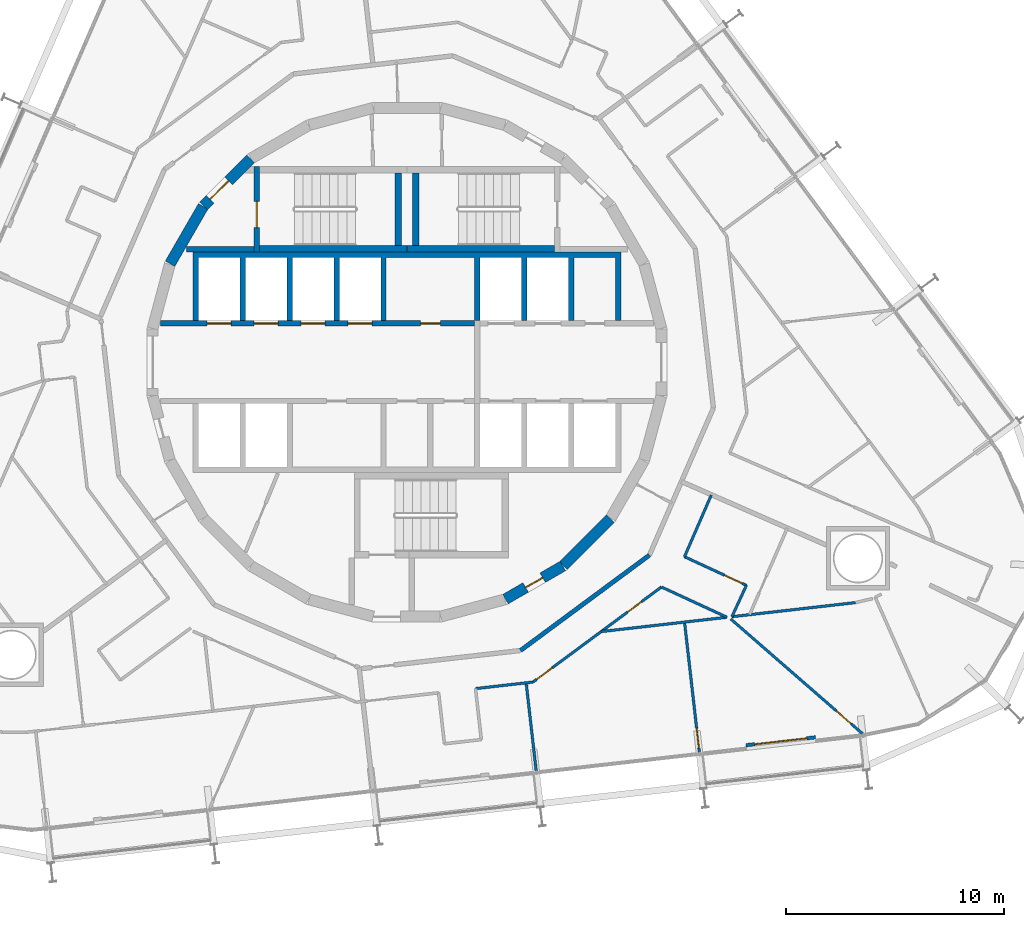
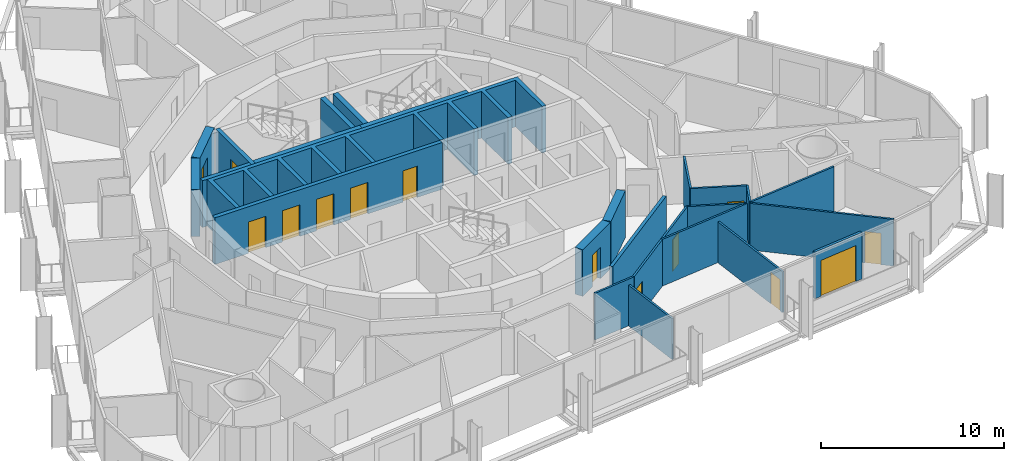
# One storey, part 16 of 22: 25 walls, 14 doors, 14 openings.
"""IFC4 building model written with IfcOpenShell, lengths in metres."""

import ifcopenshell
import ifcopenshell.guid

model = None  # the IFC model being written
_history = None  # IfcOwnerHistory: only IFC2X3 demands one
_inside = {}  # id of a spatial element -> (the spatial element, [elements in it])
_under = {}  # id of a project, library or spatial element -> (it, [spatial elements below it])
_declared = {}  # id of a project -> (the project, [libraries it declares])
_typed = {}  # id of a type object -> (the type object, [elements of that type])
_made_of = {}  # id of a material, layer set ... -> (it, [elements and type objects made of it])


def new_model(schema):
    """Start an empty IFC model of exactly this schema.

    Asked for "IFC4X3", IfcOpenShell would pick the latest addendum, in which some entities
    have other attributes; the version numbers below select the first issue.
    IFC2X3 requires an IfcOwnerHistory on every rooted entity: one is made here for all.
    """
    global model, _history
    if schema == "IFC4X3":
        model = ifcopenshell.file(schema_version=(4, 3, 0, 0))
    else:
        model = ifcopenshell.file(schema=schema)
    _inside.clear()
    _under.clear()
    _declared.clear()
    _typed.clear()
    _made_of.clear()
    _history = None
    if model.schema == "IFC2X3":
        org = make("IfcOrganization", Name="unknown")
        user = make(
            "IfcPersonAndOrganization",
            ThePerson=make("IfcPerson", FamilyName="unknown"),
            TheOrganization=org,
        )
        app = make(
            "IfcApplication",
            ApplicationDeveloper=org,
            Version="unknown",
            ApplicationFullName="unknown",
            ApplicationIdentifier="unknown",
        )
        _history = make(
            "IfcOwnerHistory",
            OwningUser=user,
            OwningApplication=app,
            ChangeAction="ADDED",
            CreationDate=0,
        )
    return model


def make(cls, **values):
    """One entity of the class cls with the attributes given. An attribute that is None is left unset."""
    return model.create_entity(
        cls, **{name: value for name, value in values.items() if value is not None}
    )


def rooted(cls, **values):
    """An entity with a GlobalId (a new one), such as an element, a storey or a relation."""
    return make(cls, GlobalId=ifcopenshell.guid.new(), OwnerHistory=_history, **values)


def si_unit(unit_type, name, prefix=None):
    """IfcSIUnit, for example si_unit("LENGTHUNIT", "METRE", prefix="MILLI")."""
    return make("IfcSIUnit", UnitType=unit_type, Prefix=prefix, Name=name)


def assignment(units):
    """IfcUnitAssignment: the units of a project."""
    return None if units is None else make("IfcUnitAssignment", Units=units)


def point(xyz):
    """IfcCartesianPoint."""
    return None if xyz is None else make("IfcCartesianPoint", Coordinates=xyz)


def direction(xyz):
    """IfcDirection."""
    return None if xyz is None else make("IfcDirection", DirectionRatios=xyz)


def frame(location, z_axis=None, x_axis=None):
    """IfcAxis2Placement3D, a coordinate frame: its origin and axes. An axis left out is left unset."""
    return make(
        "IfcAxis2Placement3D",
        Location=point(location),
        Axis=direction(z_axis),
        RefDirection=direction(x_axis),
    )


def frame_2d(location, x_axis=None):
    """IfcAxis2Placement2D, a coordinate frame in the plane: its origin and x axis."""
    return make(
        "IfcAxis2Placement2D", Location=point(location), RefDirection=direction(x_axis)
    )


def origin():
    """The frame at (0, 0, 0) with its axes left unset."""
    return frame((0.0, 0.0, 0.0))


def place(relative_to, where):
    """IfcLocalPlacement: puts the frame where relative to a parent placement (None: the world)."""
    return make(
        "IfcLocalPlacement", PlacementRelTo=relative_to, RelativePlacement=where
    )


def context(
    kind, dimensions, precision=None, world=None, true_north=None, identifier=None
):
    """IfcGeometricRepresentationContext, for example the 3D "Model" context."""
    return make(
        "IfcGeometricRepresentationContext",
        ContextIdentifier=identifier,
        ContextType=kind,
        CoordinateSpaceDimension=dimensions,
        Precision=precision,
        WorldCoordinateSystem=world,
        TrueNorth=true_north,
    )


def subcontext(parent, identifier, kind, view, scale=None):
    """IfcGeometricRepresentationSubContext, for example "Body" below "Model"."""
    return make(
        "IfcGeometricRepresentationSubContext",
        ContextIdentifier=identifier,
        ContextType=kind,
        ParentContext=parent,
        TargetScale=scale,
        TargetView=view,
    )


def project(units=None, contexts=None):
    """IfcProject with its units and contexts."""
    return rooted(
        "IfcProject",
        Name="project",
        RepresentationContexts=contexts,
        UnitsInContext=assignment(units),
    )


def spatial(cls, under=None, at=None, **own):
    """A site, building, storey or space (cls), placed at a placement, below another one or the project."""
    s = rooted(cls, ObjectPlacement=at, **own)
    if under is not None:
        _under.setdefault(under.id(), (under, []))[1].append(s)
    return s


def polyline(points):
    """IfcPolyline through the points."""
    return make("IfcPolyline", Points=[point(p) for p in points])


def profile(cls, at=None, kind="AREA", **sizes):
    """A parametric profile (cls). Its sizes go by their IFC names, for example OverallWidth=200.0."""
    return make(cls, ProfileType=kind, Position=at, **sizes)


def rectangle(**sizes):
    """IfcRectangleProfileDef."""
    return profile("IfcRectangleProfileDef", **sizes)


def outline(outer, holes=None, kind="AREA"):
    """IfcArbitraryClosedProfileDef: a profile drawn as a closed curve; with holes, ...WithVoids."""
    if holes is None:
        return make("IfcArbitraryClosedProfileDef", ProfileType=kind, OuterCurve=outer)
    return make(
        "IfcArbitraryProfileDefWithVoids",
        ProfileType=kind,
        OuterCurve=outer,
        InnerCurves=holes,
    )


def extrude(swept, where, along, depth):
    """IfcExtrudedAreaSolid: the profile swept, set in the frame where, extruded along a direction by depth."""
    return make(
        "IfcExtrudedAreaSolid",
        SweptArea=swept,
        Position=where,
        ExtrudedDirection=direction(along),
        Depth=depth,
    )


def shape(context_of_items, identifier, shape_type, items):
    """IfcShapeRepresentation: the items that make up one representation, for example the "Body"."""
    return make(
        "IfcShapeRepresentation",
        ContextOfItems=context_of_items,
        RepresentationIdentifier=identifier,
        RepresentationType=shape_type,
        Items=items,
    )


def material(Name=None, Category=None):
    """IfcMaterial."""
    return make("IfcMaterial", Name=Name, Category=Category)


def layer(
    of_material, thickness, ventilated=None, Name=None, Category=None, Priority=None
):
    """IfcMaterialLayer: one layer of a wall or slab, of a material (None: an air gap)."""
    return make(
        "IfcMaterialLayer",
        Material=of_material,
        LayerThickness=thickness,
        IsVentilated=ventilated,
        Name=Name,
        Category=Category,
        Priority=Priority,
    )


def layer_set(layers, Name=None):
    """IfcMaterialLayerSet."""
    return make("IfcMaterialLayerSet", MaterialLayers=layers, LayerSetName=Name)


def made_of(thing, what):
    """Note that an element or type object is made of a material, layer set ...; save() writes the relation."""
    if what is not None:
        _made_of.setdefault(what.id(), (what, []))[1].append(thing)
    return thing


def type_object(cls, material=None, **own):
    """A type object (cls), such as IfcWallType, which elements share."""
    return made_of(rooted(cls, **own), material)


def element(
    cls,
    number,
    at=None,
    inside=None,
    cuts=None,
    type_object=None,
    material=None,
    context=None,
    identifier="Body",
    shape_type=None,
    held_by="IfcProductDefinitionShape",
    body=None,
    shapes=None,
    **own,
):
    """One element of the class cls, such as IfcWall. Its Tag is "e" and its number.

    at: its placement. inside: the storey or other place that contains it. cuts: it is an
    opening in that element (IfcRelVoidsElement). A single representation is given by context,
    identifier, shape_type and body (its items); several are given by shapes. held_by: the class
    of the entity that holds the representations. save() writes the other relations.
    """
    e = rooted(cls, Tag="e%d" % number, ObjectPlacement=at, **own)
    if body is not None:
        shapes = [shape(context, identifier, shape_type, body)]
    if shapes is not None:
        e.Representation = make(held_by, Representations=shapes)
    if inside is not None:
        _inside.setdefault(inside.id(), (inside, []))[1].append(e)
    if cuts is not None:
        rooted(
            "IfcRelVoidsElement", RelatingBuildingElement=cuts, RelatedOpeningElement=e
        )
    if type_object is not None:
        _typed.setdefault(type_object.id(), (type_object, []))[1].append(e)
    return made_of(e, material)


def fill(opening, filler):
    """IfcRelFillsElement: the door or window that sits in an opening."""
    return rooted(
        "IfcRelFillsElement",
        RelatingOpeningElement=opening,
        RelatedBuildingElement=filler,
    )


def aggregate(whole, parts):
    """IfcRelAggregates: a whole, such as a stair, and the parts it consists of."""
    return rooted("IfcRelAggregates", RelatingObject=whole, RelatedObjects=parts)


def save(model, path):
    """Write the relations noted so far, then the file.

    IfcRelAggregates (storeys below a building ...), IfcRelContainedInSpatialStructure (elements
    in a storey), IfcRelDefinesByType, IfcRelAssociatesMaterial and IfcRelDeclares: one each for
    every whole, place, type object, material and project.
    """
    for whole, parts in _under.values():
        aggregate(whole, parts)
    for where, things in _inside.values():
        rooted(
            "IfcRelContainedInSpatialStructure",
            RelatedElements=things,
            RelatingStructure=where,
        )
    for kind, things in _typed.values():
        rooted("IfcRelDefinesByType", RelatedObjects=things, RelatingType=kind)
    for what, things in _made_of.values():
        rooted("IfcRelAssociatesMaterial", RelatedObjects=things, RelatingMaterial=what)
    for by, libraries in _declared.values():
        rooted("IfcRelDeclares", RelatingContext=by, RelatedDefinitions=libraries)
    model.write(path)


model = new_model("IFC4")

# Units and contexts
model_context = context("Model", 3, precision=1e-05, world=origin(), true_north=direction((0.0, 1.0)))
body_context = subcontext(model_context, "Body", "Model", "MODEL_VIEW")
ifc_project = project(units=[si_unit("LENGTHUNIT", "METRE"), si_unit("AREAUNIT", "SQUARE_METRE"), si_unit("VOLUMEUNIT", "CUBIC_METRE"), si_unit("PLANEANGLEUNIT", "RADIAN"), si_unit("MASSUNIT", "GRAM", prefix="KILO")], contexts=[model_context])

# Site, building, storey
site_placement = place(None, origin())
site = spatial("IfcSite", under=ifc_project, at=site_placement, CompositionType="ELEMENT")
building_placement = place(site_placement, origin())
building = spatial("IfcBuilding", under=site, at=building_placement, Name="Spindle Arch Residences", CompositionType="ELEMENT")
storey_placement = place(building_placement, frame((0.0, 0.0, 80.199951171875)))
storey = spatial("IfcBuildingStorey", under=building, at=storey_placement, Name="L18", CompositionType="ELEMENT", Elevation=80.199951171875)

# Wall, opening, door
ifc_material_1 = material(Name="Concrete C50/60", Category="concrete")
ifc_layer_1 = layer(ifc_material_1, 0.5)
ifc_layer_set_1 = layer_set([ifc_layer_1], Name="Core outline wall 500")
wall_type_1 = type_object("IfcWallType", Name="Core outline wall 500", PredefinedType="SHEAR", material=ifc_layer_set_1)
wall_1_placement = place(storey_placement, frame((4.510498046875, -10.84521484375, 0.0), z_axis=(0.0, 0.0, 1.0), x_axis=(0.865975092491, 0.500087131594, 0.0)))
wall_1 = element("IfcWall", 1, at=wall_1_placement, inside=storey, type_object=wall_type_1, Name="Core outline wall 2", PredefinedType="SHEAR", context=body_context, shape_type="SweptSolid", body=[
    extrude(rectangle(XDim=3.03271484375, YDim=0.5, at=frame_2d((1.516357421875, 0.0))), origin(), (0.0, 0.0, 1.0), 3.1201171875),
])
opening_1_placement = place(wall_1_placement, frame((1.06640625, 0.0, 0.0)))
opening_1 = element("IfcOpeningElement", 2, at=opening_1_placement, cuts=wall_1, Name="Opening R2A1-WD09", PredefinedType="OPENING", context=body_context, shape_type="SweptSolid", body=[
    extrude(rectangle(XDim=0.89990234375, YDim=2.10009765625, at=frame_2d((0.449951171875, 1.050048828125))), frame((0.0, 0.260009765625, 0.0), z_axis=(0.0, -1.0, 0.0), x_axis=(1.0, 0.0, 0.0)), (0.0, 0.0, 1.0), 0.52001953125),
])
ifc_material_2 = material(Name="Steel, fire-resisting door", Category="steel")
door_type_1 = type_object("IfcDoorType", Name="Service room door 900x2100", OperationType="SINGLE_SWING_LEFT", PredefinedType="DOOR", material=ifc_material_2)
door_1_placement = place(opening_1_placement, origin())
door_1 = element("IfcDoor", 3, at=door_1_placement, inside=storey, type_object=door_type_1, Name="Service room door R2A1-WD09", OperationType="SINGLE_SWING_RIGHT", OverallHeight=2.10009765625, OverallWidth=0.89990234375, PredefinedType="DOOR", context=body_context, shape_type="SweptSolid", body=[
    extrude(rectangle(XDim=0.89990234375, YDim=2.10009765625, at=frame_2d((0.449951171875, 1.050048828125))), frame((0.0, 0.02490234375, 0.0), z_axis=(0.0, -1.0, 0.0), x_axis=(1.0, 0.0, 0.0)), (0.0, 0.0, 1.0), 0.050048828125),
])
fill(opening_1, door_1)

# Wall
wall_2_placement = place(storey_placement, frame((7.163818359375, -9.30810546875, 0.0), z_axis=(0.0, 0.0, 1.0), x_axis=(0.707106781187, 0.707106781187, 0.0)))
element("IfcWall", 4, at=wall_2_placement, inside=storey, type_object=wall_type_1, Name="Core outline wall 3", PredefinedType="SHEAR", context=body_context, shape_type="SweptSolid", body=[
    extrude(rectangle(XDim=3.032470703125, YDim=0.5, at=frame_2d((1.51611328125, 0.0))), origin(), (0.0, 0.0, 1.0), 3.1201171875),
])

# Wall, opening, door
wall_3_placement = place(storey_placement, frame((-7.163818359375, 9.30810546875, 0.0), z_axis=(0.0, 0.0, 1.0), x_axis=(-0.707106781187, -0.707106781187, 0.0)))
wall_3 = element("IfcWall", 5, at=wall_3_placement, inside=storey, type_object=wall_type_1, Name="Core outline wall 15", PredefinedType="SHEAR", context=body_context, shape_type="SweptSolid", body=[
    extrude(rectangle(XDim=3.032470703125, YDim=0.5, at=frame_2d((1.51611328125, 0.0))), origin(), (0.0, 0.0, 1.0), 3.1201171875),
])
opening_2_placement = place(wall_3_placement, frame((1.416259765625, 0.0, 0.0)))
opening_2 = element("IfcOpeningElement", 6, at=opening_2_placement, cuts=wall_3, Name="Opening R2A1-AD02", PredefinedType="OPENING", context=body_context, shape_type="SweptSolid", body=[
    extrude(rectangle(XDim=1.199951171875, YDim=2.10009765625, at=frame_2d((0.60009765625, 1.050048828125))), frame((0.0, 0.260009765625, 0.0), z_axis=(0.0, -1.0, 0.0), x_axis=(1.0, 0.0, 0.0)), (0.0, 0.0, 1.0), 0.52001953125),
])
ifc_material_3 = material(Name="Steel, fire-resisting door", Category="steel")
door_type_2 = type_object("IfcDoorType", Name="Stair airlock door 1200x2100", OperationType="SINGLE_SWING_LEFT", PredefinedType="DOOR", material=ifc_material_3)
door_2_placement = place(opening_2_placement, origin())
door_2 = element("IfcDoor", 7, at=door_2_placement, inside=storey, type_object=door_type_2, Name="Stair airlock door R2A1-AD02", OperationType="SINGLE_SWING_RIGHT", OverallHeight=2.10009765625, OverallWidth=1.199951171875, PredefinedType="DOOR", context=body_context, shape_type="SweptSolid", body=[
    extrude(rectangle(XDim=1.199951171875, YDim=2.10009765625, at=frame_2d((0.60009765625, 1.050048828125))), frame((0.0, 0.02490234375, 0.0), z_axis=(0.0, -1.0, 0.0), x_axis=(1.0, 0.0, 0.0)), (0.0, 0.0, 1.0), 0.050048828125),
])
fill(opening_2, door_2)

# Walls
wall_4_placement = place(storey_placement, frame((-9.32861328125, 7.13671875, 0.0), z_axis=(0.0, 0.0, 1.0), x_axis=(-0.500087131594, -0.865975092491, 0.0)))
element("IfcWall", 8, at=wall_4_placement, inside=storey, type_object=wall_type_1, Name="Core outline wall 16", PredefinedType="SHEAR", context=body_context, shape_type="SweptSolid", body=[
    extrude(rectangle(XDim=3.03271484375, YDim=0.5, at=frame_2d((1.516357421875, 0.0))), origin(), (0.0, 0.0, 1.0), 3.1201171875),
])
ifc_material_4 = material(Name="Calcium silicate block, plastered")
ifc_layer_2 = layer(ifc_material_4, 0.199951171875)
ifc_layer_set_2 = layer_set([ifc_layer_2], Name="Corridor wall 200")
wall_type_2 = type_object("IfcWallType", Name="Corridor wall 200", PredefinedType="STANDARD", material=ifc_layer_set_2)
wall_5_placement = place(storey_placement, frame((5.1982421875, -13.1962890625, 0.0), z_axis=(0.0, 0.0, 1.0), x_axis=(0.803869883159, 0.594805187394, 0.0)))
element("IfcWall", 9, at=wall_5_placement, inside=storey, type_object=wall_type_2, Name="Corridor wall R2A1-W015", PredefinedType="STANDARD", context=body_context, shape_type="SweptSolid", body=[
    extrude(rectangle(XDim=7.341796875, YDim=0.199951171875, at=frame_2d((3.6708984375, 0.0))), origin(), (0.0, 0.0, 1.0), 3.1201171875),
])
ifc_material_5 = material(Name="Plasterboard on steel studs", Category="steel")
ifc_layer_3 = layer(ifc_material_5, 0.1201171875)
ifc_layer_set_3 = layer_set([ifc_layer_3], Name="Flat partition 120")
wall_type_3 = type_object("IfcWallType", Name="Flat partition 120", PredefinedType="PARTITIONING", material=ifc_layer_set_3)
wall_6_placement = place(storey_placement, frame((3.1376953125, -14.94091796875, 0.0), z_axis=(0.0, 0.0, 1.0), x_axis=(0.99356355736, 0.113276023437, 0.0)))
element("IfcWall", 10, at=wall_6_placement, inside=storey, type_object=wall_type_3, Name="Flat partition R2A1-W117", PredefinedType="PARTITIONING", context=body_context, shape_type="SweptSolid", body=[
    extrude(rectangle(XDim=2.646728515625, YDim=0.1201171875, at=frame_2d((1.3232421875, 0.0))), origin(), (0.0, 0.0, 1.0), 3.1201171875),
])

# Wall, openings, doors
wall_7_placement = place(storey_placement, frame((5.767333984375, -14.64111328125, 0.0), z_axis=(0.0, 0.0, 1.0), x_axis=(0.803867427863, 0.594808505673, 0.0)))
wall_7 = element("IfcWall", 11, at=wall_7_placement, inside=storey, type_object=wall_type_3, Name="Flat partition R2A1-W118", PredefinedType="PARTITIONING", context=body_context, shape_type="SweptSolid", body=[
    extrude(rectangle(XDim=7.31640625, YDim=0.1201171875, at=frame_2d((3.658203125, 0.0))), origin(), (0.0, 0.0, 1.0), 3.1201171875),
])
opening_3_placement = place(wall_7_placement, frame((0.199951171875, 0.0, 0.0)))
opening_3 = element("IfcOpeningElement", 12, at=opening_3_placement, cuts=wall_7, Name="Opening R2A1-ID30", PredefinedType="OPENING", context=body_context, shape_type="SweptSolid", body=[
    extrude(rectangle(XDim=0.89990234375, YDim=2.10009765625, at=frame_2d((0.449951171875, 1.050048828125))), frame((0.0, 0.070068359375, 0.0), z_axis=(0.0, -1.0, 0.0), x_axis=(1.0, 0.0, 0.0)), (0.0, 0.0, 1.0), 0.14013671875),
])
opening_4_placement = place(wall_7_placement, frame((5.385009765625, 0.0, 0.0)))
opening_4 = element("IfcOpeningElement", 13, at=opening_4_placement, cuts=wall_7, Name="Opening R2A1-BD07", PredefinedType="OPENING", context=body_context, shape_type="SweptSolid", body=[
    extrude(rectangle(XDim=0.800048828125, YDim=2.10009765625, at=frame_2d((0.39990234375, 1.050048828125))), frame((0.0, 0.070068359375, 0.0), z_axis=(0.0, -1.0, 0.0), x_axis=(1.0, 0.0, 0.0)), (0.0, 0.0, 1.0), 0.14013671875),
])
ifc_material_6 = material(Name="Timber door set", Category="wood")
door_type_3 = type_object("IfcDoorType", Name="Bathroom door 800x2100", OperationType="NOTDEFINED", PredefinedType="DOOR", material=ifc_material_6)
door_3_placement = place(opening_4_placement, origin())
door_3 = element("IfcDoor", 14, at=door_3_placement, inside=storey, type_object=door_type_3, Name="Bathroom door R2A1-BD07", OperationType="SINGLE_SWING_RIGHT", OverallHeight=2.10009765625, OverallWidth=0.800048828125, PredefinedType="DOOR", context=body_context, shape_type="SweptSolid", body=[
    extrude(rectangle(XDim=0.800048828125, YDim=2.10009765625, at=frame_2d((0.39990234375, 1.050048828125))), frame((0.0, 0.02490234375, 0.0), z_axis=(0.0, -1.0, 0.0), x_axis=(1.0, 0.0, 0.0)), (0.0, 0.0, 1.0), 0.050048828125),
])
fill(opening_4, door_3)
ifc_material_7 = material(Name="Timber door set", Category="wood")
door_type_4 = type_object("IfcDoorType", Name="Room door 900x2100", OperationType="NOTDEFINED", PredefinedType="DOOR", material=ifc_material_7)
door_4_placement = place(opening_3_placement, origin())
door_4 = element("IfcDoor", 15, at=door_4_placement, inside=storey, type_object=door_type_4, Name="Room door R2A1-ID30", OperationType="SINGLE_SWING_RIGHT", OverallHeight=2.10009765625, OverallWidth=0.89990234375, PredefinedType="DOOR", context=body_context, shape_type="SweptSolid", body=[
    extrude(rectangle(XDim=0.89990234375, YDim=2.10009765625, at=frame_2d((0.449951171875, 1.050048828125))), frame((0.0, 0.02490234375, 0.0), z_axis=(0.0, -1.0, 0.0), x_axis=(1.0, 0.0, 0.0)), (0.0, 0.0, 1.0), 0.050048828125),
])
fill(opening_3, door_4)

# Walls
wall_8_placement = place(storey_placement, frame((11.648681640625, -10.289306640625, 0.0), z_axis=(0.0, 0.0, 1.0), x_axis=(0.9079269461, -0.419128453514, 0.0)))
element("IfcWall", 16, at=wall_8_placement, inside=storey, type_object=wall_type_3, Name="Flat partition R2A1-W119", PredefinedType="PARTITIONING", context=body_context, shape_type="SweptSolid", body=[
    extrude(rectangle(XDim=3.304443359375, YDim=0.1201171875, at=frame_2d((1.65234375, 0.0))), origin(), (0.0, 0.0, 1.0), 3.1201171875),
])
wall_9_placement = place(storey_placement, frame((14.87548828125, -11.6484375, 0.0), z_axis=(0.0, 0.0, 1.0), x_axis=(0.419087543301, 0.90794583046, 0.0)))
element("IfcWall", 17, at=wall_9_placement, inside=storey, type_object=wall_type_3, Name="Flat partition R2A1-W120", PredefinedType="PARTITIONING", context=body_context, shape_type="SweptSolid", body=[
    extrude(rectangle(XDim=1.58154296875, YDim=0.1201171875, at=frame_2d((0.790771484375, 0.0))), origin(), (0.0, 0.0, 1.0), 3.1201171875),
])

# Wall, opening, door
wall_10_placement = place(storey_placement, frame((15.538330078125, -10.21240234375, 0.0), z_axis=(0.0, 0.0, 1.0), x_axis=(-0.907941075756, 0.419097844131, 0.0)))
wall_10 = element("IfcWall", 18, at=wall_10_placement, inside=storey, type_object=wall_type_3, Name="Flat partition R2A1-W121", PredefinedType="PARTITIONING", context=body_context, shape_type="SweptSolid", body=[
    extrude(rectangle(XDim=3.122314453125, YDim=0.1201171875, at=frame_2d((1.56103515625, 0.0))), origin(), (0.0, 0.0, 1.0), 3.1201171875),
])
opening_5_placement = place(wall_10_placement, frame((0.199951171875, 0.0, 0.0)))
opening_5 = element("IfcOpeningElement", 19, at=opening_5_placement, cuts=wall_10, Name="Opening R2A1-ID31", PredefinedType="OPENING", context=body_context, shape_type="SweptSolid", body=[
    extrude(rectangle(XDim=0.89990234375, YDim=2.10009765625, at=frame_2d((0.449951171875, 1.050048828125))), frame((0.0, 0.070068359375, 0.0), z_axis=(0.0, -1.0, 0.0), x_axis=(1.0, 0.0, 0.0)), (0.0, 0.0, 1.0), 0.14013671875),
])
door_5_placement = place(opening_5_placement, origin())
door_5 = element("IfcDoor", 20, at=door_5_placement, inside=storey, type_object=door_type_4, Name="Room door R2A1-ID31", OperationType="SINGLE_SWING_LEFT", OverallHeight=2.10009765625, OverallWidth=0.89990234375, PredefinedType="DOOR", context=body_context, shape_type="SweptSolid", body=[
    extrude(rectangle(XDim=0.89990234375, YDim=2.10009765625, at=frame_2d((0.449951171875, 1.050048828125))), frame((0.0, 0.02490234375, 0.0), z_axis=(0.0, -1.0, 0.0), x_axis=(1.0, 0.0, 0.0)), (0.0, 0.0, 1.0), 0.050048828125),
])
fill(opening_5, door_5)

# Walls
wall_11_placement = place(storey_placement, frame((12.703369140625, -8.90380859375, 0.0), z_axis=(0.0, 0.0, 1.0), x_axis=(0.398679720725, 0.917090224723, 0.0)))
element("IfcWall", 21, at=wall_11_placement, inside=storey, type_object=wall_type_3, Name="Flat partition R2A1-W122", PredefinedType="PARTITIONING", context=body_context, shape_type="SweptSolid", body=[
    extrude(rectangle(XDim=3.0791015625, YDim=0.1201171875, at=frame_2d((1.53955078125, 0.0))), origin(), (0.0, 0.0, 1.0), 3.1201171875),
])
wall_12_placement = place(storey_placement, frame((14.64892578125, -11.67431640625, 0.0), z_axis=(0.0, 0.0, 1.0), x_axis=(-0.993573746873, -0.113186613721, 0.0)))
element("IfcWall", 22, at=wall_12_placement, inside=storey, type_object=wall_type_3, Name="Flat partition R2A1-W124", PredefinedType="PARTITIONING", context=body_context, shape_type="SweptSolid", body=[
    extrude(rectangle(XDim=5.7958984375, YDim=0.1201171875, at=frame_2d((2.89794921875, 0.0))), origin(), (0.0, 0.0, 1.0), 3.1201171875),
])

# Wall, opening, door
wall_13_placement = place(storey_placement, frame((20.856201171875, -17.005859375, 0.0), z_axis=(0.0, 0.0, 1.0), x_axis=(-0.75423134567, 0.656608770281, 0.0)))
wall_13 = element("IfcWall", 23, at=wall_13_placement, inside=storey, type_object=wall_type_3, Name="Flat partition R2A1-W126", PredefinedType="PARTITIONING", context=body_context, shape_type="SweptSolid", body=[
    extrude(rectangle(XDim=7.995361328125, YDim=0.1201171875, at=frame_2d((3.99755859375, 0.0))), origin(), (0.0, 0.0, 1.0), 3.1201171875),
])
opening_6_placement = place(wall_13_placement, frame((0.699951171875, 0.0, 0.0)))
opening_6 = element("IfcOpeningElement", 24, at=opening_6_placement, cuts=wall_13, Name="Opening R2A1-ID33", PredefinedType="OPENING", context=body_context, shape_type="SweptSolid", body=[
    extrude(rectangle(XDim=0.89990234375, YDim=2.10009765625, at=frame_2d((0.449951171875, 1.050048828125))), frame((0.0, 0.070068359375, 0.0), z_axis=(0.0, -1.0, 0.0), x_axis=(1.0, 0.0, 0.0)), (0.0, 0.0, 1.0), 0.14013671875),
])
door_6_placement = place(opening_6_placement, origin())
door_6 = element("IfcDoor", 25, at=door_6_placement, inside=storey, type_object=door_type_4, Name="Room door R2A1-ID33", OperationType="SINGLE_SWING_RIGHT", OverallHeight=2.10009765625, OverallWidth=0.89990234375, PredefinedType="DOOR", context=body_context, shape_type="SweptSolid", body=[
    extrude(rectangle(XDim=0.89990234375, YDim=2.10009765625, at=frame_2d((0.449951171875, 1.050048828125))), frame((0.0, 0.02490234375, 0.0), z_axis=(0.0, -1.0, 0.0), x_axis=(1.0, 0.0, 0.0)), (0.0, 0.0, 1.0), 0.050048828125),
])
fill(opening_6, door_6)

# Walls
wall_14_placement = place(storey_placement, frame((20.52685546875, -11.00439453125, 0.0), z_axis=(0.0, 0.0, 1.0), x_axis=(-0.993568869194, -0.113229422712, 0.0)))
element("IfcWall", 26, at=wall_14_placement, inside=storey, type_object=wall_type_3, Name="Flat partition R2A1-W127", PredefinedType="PARTITIONING", context=body_context, shape_type="SweptSolid", body=[
    extrude(rectangle(XDim=5.68798828125, YDim=0.1201171875, at=frame_2d((2.843994140625, 0.0))), origin(), (0.0, 0.0, 1.0), 3.1201171875),
])
ifc_material_8 = material(Name="Plasterboard on steel studs", Category="steel")
ifc_layer_4 = layer(ifc_material_8, 0.1201171875)
ifc_layer_set_4 = layer_set([ifc_layer_4], Name="Flat partition 120 under beam 2730")
wall_type_4 = type_object("IfcWallType", Name="Flat partition 120 under beam 2730", PredefinedType="PARTITIONING", material=ifc_layer_set_4)
wall_15_placement = place(storey_placement, frame((5.915283203125, -18.7080078125, 0.0), z_axis=(0.0, 0.0, 1.0), x_axis=(-0.113244511591, 0.993567149515, 0.0)))
element("IfcWall", 27, at=wall_15_placement, inside=storey, type_object=wall_type_4, Name="Flat partition R2A1-W123", PredefinedType="PARTITIONING", context=body_context, shape_type="SweptSolid", body=[
    extrude(rectangle(XDim=4.057373046875, YDim=0.1201171875, at=frame_2d((2.02880859375, 0.0))), origin(), (0.0, 0.0, 1.0), 2.72998046875),
])

# Wall, opening, door
wall_16_placement = place(storey_placement, frame((13.3857421875, -17.85693359375, 0.0), z_axis=(0.0, 0.0, 1.0), x_axis=(-0.113200012983, 0.993572220355, 0.0)))
wall_16 = element("IfcWall", 28, at=wall_16_placement, inside=storey, type_object=wall_type_4, Name="Flat partition R2A1-W125", PredefinedType="PARTITIONING", context=body_context, shape_type="SweptSolid", body=[
    extrude(rectangle(XDim=6.0, YDim=0.1201171875, at=frame_2d((3.0, 0.0))), origin(), (0.0, 0.0, 1.0), 2.72998046875),
])
opening_7_placement = place(wall_16_placement, frame((0.199951171875, 0.0, 0.0)))
opening_7 = element("IfcOpeningElement", 29, at=opening_7_placement, cuts=wall_16, Name="Opening R2A1-ID32", PredefinedType="OPENING", context=body_context, shape_type="SweptSolid", body=[
    extrude(rectangle(XDim=0.89990234375, YDim=2.10009765625, at=frame_2d((0.449951171875, 1.050048828125))), frame((0.0, 0.070068359375, 0.0), z_axis=(0.0, -1.0, 0.0), x_axis=(1.0, 0.0, 0.0)), (0.0, 0.0, 1.0), 0.14013671875),
])
door_7_placement = place(opening_7_placement, origin())
door_7 = element("IfcDoor", 30, at=door_7_placement, inside=storey, type_object=door_type_4, Name="Room door R2A1-ID32", OperationType="SINGLE_SWING_RIGHT", OverallHeight=2.10009765625, OverallWidth=0.89990234375, PredefinedType="DOOR", context=body_context, shape_type="SweptSolid", body=[
    extrude(rectangle(XDim=0.89990234375, YDim=2.10009765625, at=frame_2d((0.449951171875, 1.050048828125))), frame((0.0, 0.02490234375, 0.0), z_axis=(0.0, -1.0, 0.0), x_axis=(1.0, 0.0, 0.0)), (0.0, 0.0, 1.0), 0.050048828125),
])
fill(opening_7, door_7)

ifc_material_9 = material(Name="Non-combustible mineral wool insulated aluminium faced external wall (K0)", Category="aluminium")
ifc_layer_5 = layer(ifc_material_9, 0.159912109375)
ifc_layer_set_5 = layer_set([ifc_layer_5], Name="Insulated external wall panel 160")
wall_type_5 = type_object("IfcWallType", Name="Insulated external wall panel 160", PredefinedType="STANDARD", material=ifc_layer_set_5)
wall_17_placement = place(storey_placement, frame((15.522216796875, -17.532958984375, 0.0), z_axis=(0.0, 0.0, 1.0), x_axis=(0.993578576686, 0.113144208648, 0.0)))
wall_17 = element("IfcWall", 31, at=wall_17_placement, inside=storey, type_object=wall_type_5, Name="External wall L18 bay 2", PredefinedType="STANDARD", context=body_context, shape_type="SweptSolid", body=[
    extrude(rectangle(XDim=3.199951171875, YDim=0.159912109375, at=frame_2d((1.60009765625, 0.0))), origin(), (0.0, 0.0, 1.0), 3.1201171875),
])
opening_8_placement = place(wall_17_placement, frame((0.39990234375, 0.0, 0.0)))
opening_8 = element("IfcOpeningElement", 32, at=opening_8_placement, cuts=wall_17, Name="Opening BD02", PredefinedType="OPENING", context=body_context, shape_type="SweptSolid", body=[
    extrude(rectangle(XDim=2.39990234375, YDim=2.39990234375, at=frame_2d((1.199951171875, 1.199951171875))), frame((0.0, 0.08984375, 0.0), z_axis=(0.0, -1.0, 0.0), x_axis=(1.0, 0.0, 0.0)), (0.0, 0.0, 1.0), 0.179931640625),
])
ifc_material_10 = material(Name="Bronze aluminium frame, tinted double glazing", Category="aluminium")
door_type_5 = type_object("IfcDoorType", Name="Sliding glazed balcony door 2400x2400", OperationType="DOUBLE_DOOR_SLIDING", PredefinedType="DOOR", material=ifc_material_10)
door_8_placement = place(opening_8_placement, origin())
door_8 = element("IfcDoor", 33, at=door_8_placement, inside=storey, type_object=door_type_5, Name="Balcony door BD02", OperationType="DOUBLE_DOOR_SLIDING", OverallHeight=2.39990234375, OverallWidth=2.39990234375, PredefinedType="DOOR", context=body_context, shape_type="SweptSolid", body=[
    extrude(rectangle(XDim=2.39990234375, YDim=2.39990234375, at=frame_2d((1.199951171875, 1.199951171875))), frame((0.0, 0.02490234375, 0.0), z_axis=(0.0, -1.0, 0.0), x_axis=(1.0, 0.0, 0.0)), (0.0, 0.0, 1.0), 0.050048828125),
])
fill(opening_8, door_8)

# Wall, openings, doors
ifc_material_11 = material(Name="Concrete C50/60", Category="concrete")
ifc_layer_6 = layer(ifc_material_11, 0.25)
ifc_layer_set_6 = layer_set([ifc_layer_6], Name="Lift shaft wall 250")
wall_type_6 = type_object("IfcWallType", Name="Lift shaft wall 250", PredefinedType="SHEAR", material=ifc_layer_set_6)
wall_18_placement = place(storey_placement, frame((-11.280029296875, 1.77490234375, 0.0), z_axis=(0.0, 0.0, 1.0), x_axis=(1.0, 0.0, 0.0)))
wall_18 = element("IfcWall", 34, at=wall_18_placement, inside=storey, type_object=wall_type_6, Name="Lift shaft front wall NW", PredefinedType="SHEAR", context=body_context, shape_type="SweptSolid", body=[
    extrude(rectangle(XDim=14.380126953125, YDim=0.25, at=frame_2d((7.18994140625, 0.0))), origin(), (0.0, 0.0, 1.0), 3.1201171875),
])
opening_9_placement = place(wall_18_placement, frame((2.1298828125, 0.0, 0.0)))
opening_9 = element("IfcOpeningElement", 35, at=opening_9_placement, cuts=wall_18, Name="Opening R2A1-LD01", PredefinedType="OPENING", context=body_context, shape_type="SweptSolid", body=[
    extrude(rectangle(XDim=1.10009765625, YDim=2.10009765625, at=frame_2d((0.550048828125, 1.050048828125))), frame((0.0, 0.135009765625, 0.0), z_axis=(0.0, -1.0, 0.0), x_axis=(1.0, 0.0, 0.0)), (0.0, 0.0, 1.0), 0.27001953125),
])
opening_10_placement = place(wall_18_placement, frame((4.280029296875, 0.0, 0.0)))
opening_10 = element("IfcOpeningElement", 36, at=opening_10_placement, cuts=wall_18, Name="Opening R2A1-LD02", PredefinedType="OPENING", context=body_context, shape_type="SweptSolid", body=[
    extrude(rectangle(XDim=1.10009765625, YDim=2.10009765625, at=frame_2d((0.550048828125, 1.050048828125))), frame((0.0, 0.135009765625, 0.0), z_axis=(0.0, -1.0, 0.0), x_axis=(1.0, 0.0, 0.0)), (0.0, 0.0, 1.0), 0.27001953125),
])
opening_11_placement = place(wall_18_placement, frame((6.429931640625, 0.0, 0.0)))
opening_11 = element("IfcOpeningElement", 37, at=opening_11_placement, cuts=wall_18, Name="Opening R2A1-LD03", PredefinedType="OPENING", context=body_context, shape_type="SweptSolid", body=[
    extrude(rectangle(XDim=1.10009765625, YDim=2.10009765625, at=frame_2d((0.550048828125, 1.050048828125))), frame((0.0, 0.135009765625, 0.0), z_axis=(0.0, -1.0, 0.0), x_axis=(1.0, 0.0, 0.0)), (0.0, 0.0, 1.0), 0.27001953125),
])
opening_12_placement = place(wall_18_placement, frame((8.580078125, 0.0, 0.0)))
opening_12 = element("IfcOpeningElement", 38, at=opening_12_placement, cuts=wall_18, Name="Opening R2A1-LD04", PredefinedType="OPENING", context=body_context, shape_type="SweptSolid", body=[
    extrude(rectangle(XDim=1.10009765625, YDim=2.10009765625, at=frame_2d((0.550048828125, 1.050048828125))), frame((0.0, 0.135009765625, 0.0), z_axis=(0.0, -1.0, 0.0), x_axis=(1.0, 0.0, 0.0)), (0.0, 0.0, 1.0), 0.27001953125),
])
opening_13_placement = place(wall_18_placement, frame((11.905029296875, 0.0, 0.0)))
opening_13 = element("IfcOpeningElement", 39, at=opening_13_placement, cuts=wall_18, Name="Opening R2A1-WD01", PredefinedType="OPENING", context=body_context, shape_type="SweptSolid", body=[
    extrude(rectangle(XDim=0.89990234375, YDim=2.10009765625, at=frame_2d((0.449951171875, 1.050048828125))), frame((0.0, 0.135009765625, 0.0), z_axis=(0.0, -1.0, 0.0), x_axis=(1.0, 0.0, 0.0)), (0.0, 0.0, 1.0), 0.27001953125),
])
ifc_material_12 = material(Name="Steel, fire-resisting landing door", Category="steel")
door_type_6 = type_object("IfcDoorType", Name="Lift landing door 1100x2100", OperationType="DOUBLE_DOOR_SLIDING", PredefinedType="DOOR", material=ifc_material_12)
door_9_placement = place(opening_9_placement, origin())
door_9 = element("IfcDoor", 40, at=door_9_placement, inside=storey, type_object=door_type_6, Name="Lift landing door R2A1-LD01", OperationType="DOUBLE_DOOR_SLIDING", OverallHeight=2.10009765625, OverallWidth=1.10009765625, PredefinedType="DOOR", context=body_context, shape_type="SweptSolid", body=[
    extrude(rectangle(XDim=1.10009765625, YDim=2.10009765625, at=frame_2d((0.550048828125, 1.050048828125))), frame((0.0, 0.02490234375, 0.0), z_axis=(0.0, -1.0, 0.0), x_axis=(1.0, 0.0, 0.0)), (0.0, 0.0, 1.0), 0.050048828125),
])
fill(opening_9, door_9)
door_10_placement = place(opening_10_placement, origin())
door_10 = element("IfcDoor", 41, at=door_10_placement, inside=storey, type_object=door_type_6, Name="Lift landing door R2A1-LD02", OperationType="DOUBLE_DOOR_SLIDING", OverallHeight=2.10009765625, OverallWidth=1.10009765625, PredefinedType="DOOR", context=body_context, shape_type="SweptSolid", body=[
    extrude(rectangle(XDim=1.10009765625, YDim=2.10009765625, at=frame_2d((0.550048828125, 1.050048828125))), frame((0.0, 0.02490234375, 0.0), z_axis=(0.0, -1.0, 0.0), x_axis=(1.0, 0.0, 0.0)), (0.0, 0.0, 1.0), 0.050048828125),
])
fill(opening_10, door_10)
door_11_placement = place(opening_11_placement, origin())
door_11 = element("IfcDoor", 42, at=door_11_placement, inside=storey, type_object=door_type_6, Name="Lift landing door R2A1-LD03", OperationType="DOUBLE_DOOR_SLIDING", OverallHeight=2.10009765625, OverallWidth=1.10009765625, PredefinedType="DOOR", context=body_context, shape_type="SweptSolid", body=[
    extrude(rectangle(XDim=1.10009765625, YDim=2.10009765625, at=frame_2d((0.550048828125, 1.050048828125))), frame((0.0, 0.02490234375, 0.0), z_axis=(0.0, -1.0, 0.0), x_axis=(1.0, 0.0, 0.0)), (0.0, 0.0, 1.0), 0.050048828125),
])
fill(opening_11, door_11)
door_12_placement = place(opening_12_placement, origin())
door_12 = element("IfcDoor", 43, at=door_12_placement, inside=storey, type_object=door_type_6, Name="Lift landing door R2A1-LD04", OperationType="DOUBLE_DOOR_SLIDING", OverallHeight=2.10009765625, OverallWidth=1.10009765625, PredefinedType="DOOR", context=body_context, shape_type="SweptSolid", body=[
    extrude(rectangle(XDim=1.10009765625, YDim=2.10009765625, at=frame_2d((0.550048828125, 1.050048828125))), frame((0.0, 0.02490234375, 0.0), z_axis=(0.0, -1.0, 0.0), x_axis=(1.0, 0.0, 0.0)), (0.0, 0.0, 1.0), 0.050048828125),
])
fill(opening_12, door_12)
door_13_placement = place(opening_13_placement, origin())
door_13 = element("IfcDoor", 44, at=door_13_placement, inside=storey, type_object=door_type_1, Name="Service room door R2A1-WD01", OperationType="SINGLE_SWING_RIGHT", OverallHeight=2.10009765625, OverallWidth=0.89990234375, PredefinedType="DOOR", context=body_context, shape_type="SweptSolid", body=[
    extrude(rectangle(XDim=0.89990234375, YDim=2.10009765625, at=frame_2d((0.449951171875, 1.050048828125))), frame((0.0, 0.02490234375, 0.0), z_axis=(0.0, -1.0, 0.0), x_axis=(1.0, 0.0, 0.0)), (0.0, 0.0, 1.0), 0.050048828125),
])
fill(opening_13, door_13)

# Walls
ifc_material_13 = material(Name="Concrete C50/60", Category="concrete")
wall_type_7 = type_object("IfcWallType", Name="Lift shaft wall profile", PredefinedType="SHEAR", material=ifc_material_13)
wall_19_placement = place(storey_placement, origin())
element("IfcWall", 45, at=wall_19_placement, inside=storey, type_object=wall_type_7, Name="Lift shaft walls N", PredefinedType="SHEAR", context=body_context, shape_type="SweptSolid", body=[
    extrude(outline(polyline([(-9.550048828125, 4.800048828125), (-7.64990234375, 4.800048828125), (-7.64990234375, 1.89990234375), (-7.39990234375, 1.89990234375), (-7.39990234375, 4.800048828125), (-5.5, 4.800048828125), (-5.5, 1.89990234375), (-5.25, 1.89990234375), (-5.25, 4.800048828125), (-3.35009765625, 4.800048828125), (-3.35009765625, 1.89990234375), (-3.10009765625, 1.89990234375), (-3.10009765625, 4.800048828125), (-1.199951171875, 4.800048828125), (-1.199951171875, 1.89990234375), (-0.949951171875, 1.89990234375), (-0.949951171875, 4.800048828125), (3.10009765625, 4.800048828125), (3.10009765625, 1.89990234375), (3.35009765625, 1.89990234375), (3.35009765625, 4.800048828125), (5.25, 4.800048828125), (5.25, 1.89990234375), (5.5, 1.89990234375), (5.5, 4.800048828125), (7.39990234375, 4.800048828125), (7.39990234375, 1.89990234375), (7.64990234375, 1.89990234375), (7.64990234375, 4.800048828125), (9.550048828125, 4.800048828125), (9.550048828125, 1.89990234375), (9.800048828125, 1.89990234375), (9.800048828125, 4.800048828125), (9.800048828125, 5.050048828125), (-9.800048828125, 5.050048828125), (-9.800048828125, 4.800048828125), (-9.800048828125, 1.89990234375), (-9.550048828125, 1.89990234375), (-9.550048828125, 4.800048828125)])), origin(), (0.0, 0.0, 1.0), 3.1201171875),
])
ifc_material_14 = material(Name="Concrete C40/50", Category="concrete")
ifc_layer_7 = layer(ifc_material_14, 0.25)
ifc_layer_set_7 = layer_set([ifc_layer_7], Name="Stair airlock wall 250")
wall_type_8 = type_object("IfcWallType", Name="Stair airlock wall 250", PredefinedType="SHEAR", material=ifc_layer_set_7)
wall_20_placement = place(storey_placement, frame((-7.0, 5.175048828125, 0.0), z_axis=(0.0, 0.0, 1.0), x_axis=(-1.0, 0.0, 0.0)))
element("IfcWall", 46, at=wall_20_placement, inside=storey, type_object=wall_type_8, Name="Stair ST-2 airlock wall S", PredefinedType="SHEAR", context=body_context, shape_type="SweptSolid", body=[
    extrude(rectangle(XDim=3.10009765625, YDim=0.25, at=frame_2d((1.550048828125, 0.0))), origin(), (0.0, 0.0, 1.0), 3.1201171875),
])

# Wall, opening, door
ifc_material_15 = material(Name="Concrete C50/60", Category="concrete")
ifc_layer_8 = layer(ifc_material_15, 0.25)
ifc_layer_set_8 = layer_set([ifc_layer_8], Name="Stair enclosure wall 250")
wall_type_9 = type_object("IfcWallType", Name="Stair enclosure wall 250", PredefinedType="SHEAR", material=ifc_layer_set_8)
wall_21_placement = place(storey_placement, frame((-6.875, 8.969970703125, 0.0), z_axis=(0.0, 0.0, 1.0), x_axis=(0.0, -1.0, 0.0)))
wall_21 = element("IfcWall", 47, at=wall_21_placement, inside=storey, type_object=wall_type_9, Name="Stair ST-2 door wall", PredefinedType="SHEAR", context=body_context, shape_type="SweptSolid", body=[
    extrude(rectangle(XDim=3.919921875, YDim=0.25, at=frame_2d((1.9599609375, 0.0))), origin(), (0.0, 0.0, 1.0), 3.1201171875),
])
opening_14_placement = place(wall_21_placement, frame((1.610107421875, 0.0, 0.0)))
opening_14 = element("IfcOpeningElement", 48, at=opening_14_placement, cuts=wall_21, Name="Opening R2A1-SD02", PredefinedType="OPENING", context=body_context, shape_type="SweptSolid", body=[
    extrude(rectangle(XDim=1.199951171875, YDim=2.10009765625, at=frame_2d((0.60009765625, 1.050048828125))), frame((0.0, 0.135009765625, 0.0), z_axis=(0.0, -1.0, 0.0), x_axis=(1.0, 0.0, 0.0)), (0.0, 0.0, 1.0), 0.27001953125),
])
ifc_material_16 = material(Name="Steel, fire-resisting door", Category="steel")
door_type_7 = type_object("IfcDoorType", Name="Stair door 1200x2100", OperationType="SINGLE_SWING_RIGHT", PredefinedType="DOOR", material=ifc_material_16)
door_14_placement = place(opening_14_placement, origin())
door_14 = element("IfcDoor", 49, at=door_14_placement, inside=storey, type_object=door_type_7, Name="Stair door R2A1-SD02", OperationType="SINGLE_SWING_LEFT", OverallHeight=2.10009765625, OverallWidth=1.199951171875, PredefinedType="DOOR", context=body_context, shape_type="SweptSolid", body=[
    extrude(rectangle(XDim=1.199951171875, YDim=2.10009765625, at=frame_2d((0.60009765625, 1.050048828125))), frame((0.0, 0.02490234375, 0.0), z_axis=(0.0, -1.0, 0.0), x_axis=(1.0, 0.0, 0.0)), (0.0, 0.0, 1.0), 0.050048828125),
])
fill(opening_14, door_14)

# Walls
ifc_material_17 = material(Name="Concrete C50/60", Category="concrete")
ifc_layer_9 = layer(ifc_material_17, 0.300048828125)
ifc_layer_set_9 = layer_set([ifc_layer_9], Name="Stair enclosure wall 300")
wall_type_10 = type_object("IfcWallType", Name="Stair enclosure wall 300", PredefinedType="SHEAR", material=ifc_layer_set_9)
wall_22_placement = place(storey_placement, frame((0.0, 5.199951171875, 0.0), z_axis=(0.0, 0.0, 1.0), x_axis=(1.0, 0.0, 0.0)))
element("IfcWall", 50, at=wall_22_placement, inside=storey, type_object=wall_type_10, Name="Stair ST-1 enclosure wall S", PredefinedType="SHEAR", context=body_context, shape_type="SweptSolid", body=[
    extrude(rectangle(XDim=6.75, YDim=0.300048828125, at=frame_2d((3.375, 0.0))), origin(), (0.0, 0.0, 1.0), 3.1201171875),
])
wall_23_placement = place(storey_placement, frame((0.39990234375, 5.35009765625, 0.0), z_axis=(0.0, 0.0, 1.0), x_axis=(0.0, 1.0, 0.0)))
element("IfcWall", 51, at=wall_23_placement, inside=storey, type_object=wall_type_10, Name="Stair ST-1 enclosure wall F", PredefinedType="SHEAR", context=body_context, shape_type="SweptSolid", body=[
    extrude(rectangle(XDim=3.31982421875, YDim=0.300048828125, at=frame_2d((1.659912109375, 0.0))), origin(), (0.0, 0.0, 1.0), 3.1201171875),
])
wall_24_placement = place(storey_placement, frame((-6.75, 5.199951171875, 0.0), z_axis=(0.0, 0.0, 1.0), x_axis=(1.0, 0.0, 0.0)))
element("IfcWall", 52, at=wall_24_placement, inside=storey, type_object=wall_type_10, Name="Stair ST-2 enclosure wall S", PredefinedType="SHEAR", context=body_context, shape_type="SweptSolid", body=[
    extrude(rectangle(XDim=6.75, YDim=0.300048828125, at=frame_2d((3.375, 0.0))), origin(), (0.0, 0.0, 1.0), 3.1201171875),
])
wall_25_placement = place(storey_placement, frame((-0.39990234375, 5.35009765625, 0.0), z_axis=(0.0, 0.0, 1.0), x_axis=(0.0, 1.0, 0.0)))
element("IfcWall", 53, at=wall_25_placement, inside=storey, type_object=wall_type_10, Name="Stair ST-2 enclosure wall F", PredefinedType="SHEAR", context=body_context, shape_type="SweptSolid", body=[
    extrude(rectangle(XDim=3.31982421875, YDim=0.300048828125, at=frame_2d((1.659912109375, 0.0))), origin(), (0.0, 0.0, 1.0), 3.1201171875),
])

save(model, "model.ifc")
